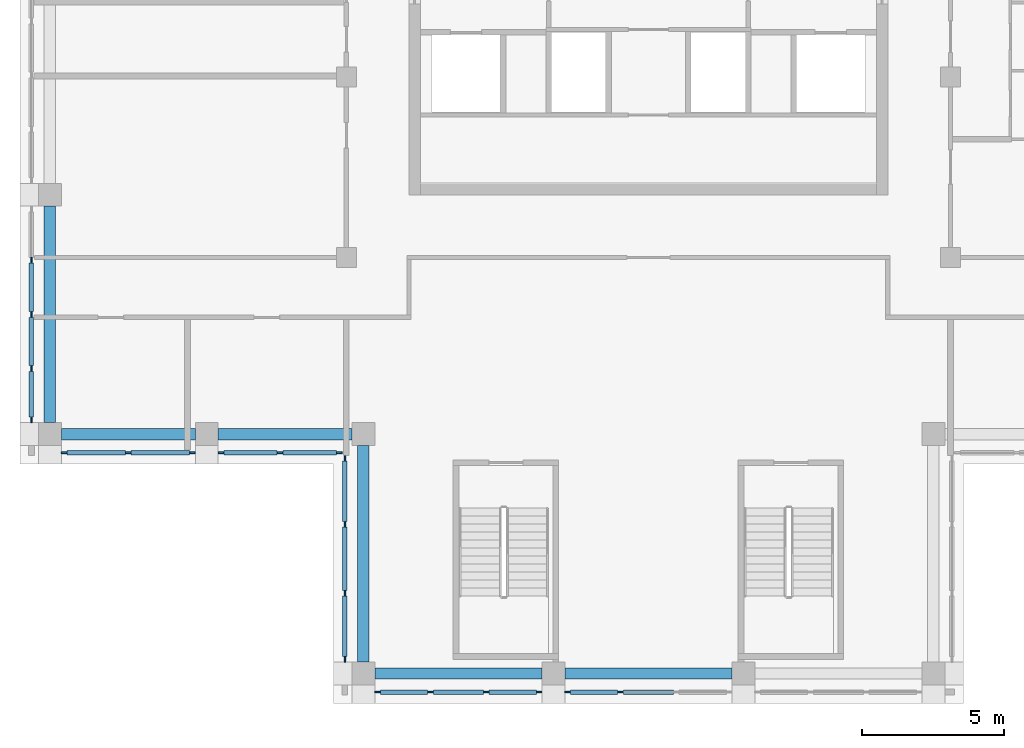
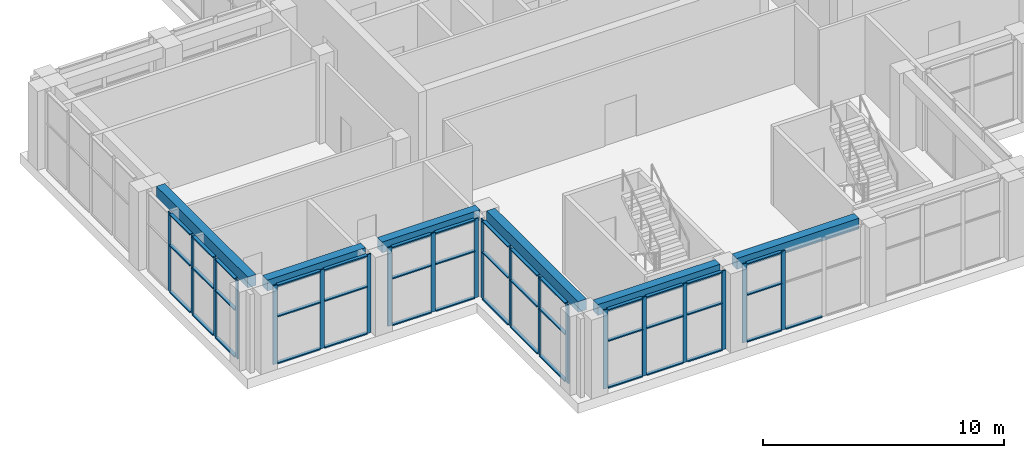
# One storey, part 2 of 14: 63 members, 6 beams, 6 elements without a shape of their own.
"""IFC4 building model written with IfcOpenShell, lengths in metres."""

from ifc_helpers import new_model, si_unit, direction, frame, origin, origin_2d, place, context, subcontext, project, spatial, rectangle, extrude, material, material_profile, profile_set, type_object, element, aggregate, save


model = new_model("IFC4")

# Units and contexts
model_context = context("Model", 3, precision=1e-05, world=origin(), true_north=direction((0.0, 1.0)))
body_context = subcontext(model_context, "Body", "Model", "MODEL_VIEW")
ifc_project = project(units=[si_unit("LENGTHUNIT", "METRE"), si_unit("AREAUNIT", "SQUARE_METRE"), si_unit("VOLUMEUNIT", "CUBIC_METRE"), si_unit("PLANEANGLEUNIT", "RADIAN"), si_unit("MASSUNIT", "GRAM", prefix="KILO")], contexts=[model_context])

# Site, building, storey
site_placement = place(None, origin())
site = spatial("IfcSite", under=ifc_project, at=site_placement, CompositionType="ELEMENT")
building_placement = place(site_placement, origin())
building = spatial("IfcBuilding", under=site, at=building_placement, Name="Vermilion Ogive Tower", CompositionType="ELEMENT")
storey_placement = place(building_placement, frame((0.0, 0.0, 273.85009765625)))
storey = spatial("IfcBuildingStorey", under=building, at=storey_placement, Name="L72", CompositionType="ELEMENT", Elevation=273.85009765625)

# Curtain wall, members
ifc_material_1 = material(Name="Laminated solar-control glazing in aluminium frame", Category="aluminium")
curtain_wall_type = type_object("IfcCurtainWallType", Name="Curtain wall CW4", PredefinedType="NOTDEFINED", material=ifc_material_1)
curtain_wall_1_placement = place(storey_placement, origin())
curtain_wall_1 = element("IfcCurtainWall", 1, at=curtain_wall_1_placement, inside=storey, type_object=curtain_wall_type, Name="CW4 glazing S1", PredefinedType="NOTDEFINED")
ifc_material_2 = material(Name="Aluminium mullion", Category="aluminium")
ifc_material_profile_1 = material_profile(ifc_material_2, rectangle(XDim=0.06005859375, YDim=0.199951171875, at=origin_2d()), Name="AL 60x200")
ifc_profile_set_1 = profile_set([ifc_material_profile_1], Name="Aluminium mullion")
member_type_1 = type_object("IfcMemberType", Name="CW4 mullion 60x200", PredefinedType="MULLION", material=ifc_profile_set_1)
member_1_placement = place(storey_placement, frame((-9.5, -13.25, 0.0), z_axis=(0.0, 0.0, 1.0), x_axis=(0.0, 1.0, 0.0)))
member_1 = element("IfcMember", 2, at=member_1_placement, type_object=member_type_1, Name="CW4-S1 mullion 1", PredefinedType="MULLION", context=body_context, shape_type="SweptSolid", body=[
    extrude(rectangle(XDim=0.06005859375, YDim=0.199951171875, at=origin_2d()), origin(), (0.0, 0.0, 1.0), 4.0),
])
member_2_placement = place(storey_placement, frame((-7.64453125, -13.25, 0.0), z_axis=(0.0, 0.0, 1.0), x_axis=(0.0, 1.0, 0.0)))
member_2 = element("IfcMember", 3, at=member_2_placement, type_object=member_type_1, Name="CW4-S1 mullion 2", PredefinedType="MULLION", context=body_context, shape_type="SweptSolid", body=[
    extrude(rectangle(XDim=0.06005859375, YDim=0.199951171875, at=origin_2d()), origin(), (0.0, 0.0, 1.0), 4.0),
])
member_3_placement = place(storey_placement, frame((-5.68896484375, -13.25, 0.0), z_axis=(0.0, 0.0, 1.0), x_axis=(0.0, 1.0, 0.0)))
member_3 = element("IfcMember", 4, at=member_3_placement, type_object=member_type_1, Name="CW4-S1 mullion 3", PredefinedType="MULLION", context=body_context, shape_type="SweptSolid", body=[
    extrude(rectangle(XDim=0.06005859375, YDim=0.199951171875, at=origin_2d()), origin(), (0.0, 0.0, 1.0), 4.0),
])
member_4_placement = place(storey_placement, frame((-3.833251953125, -13.25, 0.0), z_axis=(0.0, 0.0, 1.0), x_axis=(0.0, 1.0, 0.0)))
member_4 = element("IfcMember", 5, at=member_4_placement, type_object=member_type_1, Name="CW4-S1 mullion 4", PredefinedType="MULLION", context=body_context, shape_type="SweptSolid", body=[
    extrude(rectangle(XDim=0.06005859375, YDim=0.199951171875, at=origin_2d()), origin(), (0.0, 0.0, 1.0), 4.0),
])

curtain_wall_2_placement = place(storey_placement, origin())
curtain_wall_2 = element("IfcCurtainWall", 6, at=curtain_wall_2_placement, inside=storey, type_object=curtain_wall_type, Name="CW4 glazing S2", PredefinedType="NOTDEFINED")
member_5_placement = place(storey_placement, frame((-2.833251953125, -13.25, 0.0), z_axis=(0.0, 0.0, 1.0), x_axis=(0.0, 1.0, 0.0)))
member_5 = element("IfcMember", 7, at=member_5_placement, type_object=member_type_1, Name="CW4-S2 mullion 1", PredefinedType="MULLION", context=body_context, shape_type="SweptSolid", body=[
    extrude(rectangle(XDim=0.06005859375, YDim=0.199951171875, at=origin_2d()), origin(), (0.0, 0.0, 1.0), 4.0),
])
member_6_placement = place(storey_placement, frame((-0.977783203125, -13.25, 0.0), z_axis=(0.0, 0.0, 1.0), x_axis=(0.0, 1.0, 0.0)))
member_6 = element("IfcMember", 8, at=member_6_placement, type_object=member_type_1, Name="CW4-S2 mullion 2", PredefinedType="MULLION", context=body_context, shape_type="SweptSolid", body=[
    extrude(rectangle(XDim=0.06005859375, YDim=0.199951171875, at=origin_2d()), origin(), (0.0, 0.0, 1.0), 4.0),
])

curtain_wall_3_placement = place(storey_placement, origin())
curtain_wall_3 = element("IfcCurtainWall", 9, at=curtain_wall_3_placement, inside=storey, type_object=curtain_wall_type, Name="CW4 glazing W2", PredefinedType="NOTDEFINED")
member_7_placement = place(storey_placement, frame((-21.64990234375, 1.89990234375, 0.0), z_axis=(0.0, 0.0, 1.0), x_axis=(1.0, 0.0, 0.0)))
member_7 = element("IfcMember", 10, at=member_7_placement, type_object=member_type_1, Name="CW4-W2 mullion 2", PredefinedType="MULLION", context=body_context, shape_type="SweptSolid", body=[
    extrude(rectangle(XDim=0.06005859375, YDim=0.199951171875, at=origin_2d()), origin(), (0.0, 0.0, 1.0), 4.0),
])
member_8_placement = place(storey_placement, frame((-21.64990234375, 0.0, 0.0), z_axis=(0.0, 0.0, 1.0), x_axis=(1.0, 0.0, 0.0)))
member_8 = element("IfcMember", 11, at=member_8_placement, type_object=member_type_1, Name="CW4-W2 mullion 3", PredefinedType="MULLION", context=body_context, shape_type="SweptSolid", body=[
    extrude(rectangle(XDim=0.06005859375, YDim=0.199951171875, at=origin_2d()), origin(), (0.0, 0.0, 1.0), 4.0),
])
member_9_placement = place(storey_placement, frame((-21.64990234375, -1.89990234375, 0.0), z_axis=(0.0, 0.0, 1.0), x_axis=(1.0, 0.0, 0.0)))
member_9 = element("IfcMember", 12, at=member_9_placement, type_object=member_type_1, Name="CW4-W2 mullion 4", PredefinedType="MULLION", context=body_context, shape_type="SweptSolid", body=[
    extrude(rectangle(XDim=0.06005859375, YDim=0.199951171875, at=origin_2d()), origin(), (0.0, 0.0, 1.0), 4.0),
])
member_10_placement = place(storey_placement, frame((-21.64990234375, -3.699951171875, 0.0), z_axis=(0.0, 0.0, 1.0), x_axis=(1.0, 0.0, 0.0)))
member_10 = element("IfcMember", 13, at=member_10_placement, type_object=member_type_1, Name="CW4-W2 mullion 5", PredefinedType="MULLION", context=body_context, shape_type="SweptSolid", body=[
    extrude(rectangle(XDim=0.06005859375, YDim=0.199951171875, at=origin_2d()), origin(), (0.0, 0.0, 1.0), 4.0),
])

curtain_wall_4_placement = place(storey_placement, origin())
curtain_wall_4 = element("IfcCurtainWall", 14, at=curtain_wall_4_placement, inside=storey, type_object=curtain_wall_type, Name="CW4 glazing X71", PredefinedType="NOTDEFINED")
member_11_placement = place(storey_placement, frame((-20.5, -4.85009765625, 0.0), z_axis=(0.0, 0.0, 1.0), x_axis=(0.0, 1.0, 0.0)))
member_11 = element("IfcMember", 15, at=member_11_placement, type_object=member_type_1, Name="CW4-X71 mullion 1", PredefinedType="MULLION", context=body_context, shape_type="SweptSolid", body=[
    extrude(rectangle(XDim=0.06005859375, YDim=0.199951171875, at=origin_2d()), origin(), (0.0, 0.0, 1.0), 4.0),
])
member_12_placement = place(storey_placement, frame((-18.25, -4.85009765625, 0.0), z_axis=(0.0, 0.0, 1.0), x_axis=(0.0, 1.0, 0.0)))
member_12 = element("IfcMember", 16, at=member_12_placement, type_object=member_type_1, Name="CW4-X71 mullion 2", PredefinedType="MULLION", context=body_context, shape_type="SweptSolid", body=[
    extrude(rectangle(XDim=0.06005859375, YDim=0.199951171875, at=origin_2d()), origin(), (0.0, 0.0, 1.0), 4.0),
])
member_13_placement = place(storey_placement, frame((-16.0, -4.85009765625, 0.0), z_axis=(0.0, 0.0, 1.0), x_axis=(0.0, 1.0, 0.0)))
member_13 = element("IfcMember", 17, at=member_13_placement, type_object=member_type_1, Name="CW4-X71 mullion 3", PredefinedType="MULLION", context=body_context, shape_type="SweptSolid", body=[
    extrude(rectangle(XDim=0.06005859375, YDim=0.199951171875, at=origin_2d()), origin(), (0.0, 0.0, 1.0), 4.0),
])

curtain_wall_5_placement = place(storey_placement, origin())
curtain_wall_5 = element("IfcCurtainWall", 18, at=curtain_wall_5_placement, inside=storey, type_object=curtain_wall_type, Name="CW4 glazing X72", PredefinedType="NOTDEFINED")
member_14_placement = place(storey_placement, frame((-15.0, -4.85009765625, 0.0), z_axis=(0.0, 0.0, 1.0), x_axis=(0.0, 1.0, 0.0)))
member_14 = element("IfcMember", 19, at=member_14_placement, type_object=member_type_1, Name="CW4-X72 mullion 1", PredefinedType="MULLION", context=body_context, shape_type="SweptSolid", body=[
    extrude(rectangle(XDim=0.06005859375, YDim=0.199951171875, at=origin_2d()), origin(), (0.0, 0.0, 1.0), 4.0),
])
member_15_placement = place(storey_placement, frame((-12.925048828125, -4.85009765625, 0.0), z_axis=(0.0, 0.0, 1.0), x_axis=(0.0, 1.0, 0.0)))
member_15 = element("IfcMember", 20, at=member_15_placement, type_object=member_type_1, Name="CW4-X72 mullion 2", PredefinedType="MULLION", context=body_context, shape_type="SweptSolid", body=[
    extrude(rectangle(XDim=0.06005859375, YDim=0.199951171875, at=origin_2d()), origin(), (0.0, 0.0, 1.0), 4.0),
])
member_16_placement = place(storey_placement, frame((-10.85009765625, -4.85009765625, 0.0), z_axis=(0.0, 0.0, 1.0), x_axis=(0.0, 1.0, 0.0)))
member_16 = element("IfcMember", 21, at=member_16_placement, type_object=member_type_1, Name="CW4-X72 mullion 3", PredefinedType="MULLION", context=body_context, shape_type="SweptSolid", body=[
    extrude(rectangle(XDim=0.06005859375, YDim=0.199951171875, at=origin_2d()), origin(), (0.0, 0.0, 1.0), 4.0),
])

curtain_wall_6_placement = place(storey_placement, origin())
curtain_wall_6 = element("IfcCurtainWall", 22, at=curtain_wall_6_placement, inside=storey, type_object=curtain_wall_type, Name="CW4 glazing X81", PredefinedType="NOTDEFINED")
member_17_placement = place(storey_placement, frame((-10.64990234375, -5.050048828125, 0.0), z_axis=(0.0, 0.0, 1.0), x_axis=(1.0, 0.0, 0.0)))
member_17 = element("IfcMember", 23, at=member_17_placement, type_object=member_type_1, Name="CW4-X81 mullion 1", PredefinedType="MULLION", context=body_context, shape_type="SweptSolid", body=[
    extrude(rectangle(XDim=0.06005859375, YDim=0.199951171875, at=origin_2d()), origin(), (0.0, 0.0, 1.0), 4.0),
])
member_18_placement = place(storey_placement, frame((-10.64990234375, -7.36669921875, 0.0), z_axis=(0.0, 0.0, 1.0), x_axis=(1.0, 0.0, 0.0)))
member_18 = element("IfcMember", 24, at=member_18_placement, type_object=member_type_1, Name="CW4-X81 mullion 2", PredefinedType="MULLION", context=body_context, shape_type="SweptSolid", body=[
    extrude(rectangle(XDim=0.06005859375, YDim=0.199951171875, at=origin_2d()), origin(), (0.0, 0.0, 1.0), 4.0),
])
member_19_placement = place(storey_placement, frame((-10.64990234375, -9.783447265625, 0.0), z_axis=(0.0, 0.0, 1.0), x_axis=(1.0, 0.0, 0.0)))
member_19 = element("IfcMember", 25, at=member_19_placement, type_object=member_type_1, Name="CW4-X81 mullion 3", PredefinedType="MULLION", context=body_context, shape_type="SweptSolid", body=[
    extrude(rectangle(XDim=0.06005859375, YDim=0.199951171875, at=origin_2d()), origin(), (0.0, 0.0, 1.0), 4.0),
])
member_20_placement = place(storey_placement, frame((-10.64990234375, -12.10009765625, 0.0), z_axis=(0.0, 0.0, 1.0), x_axis=(1.0, 0.0, 0.0)))
member_20 = element("IfcMember", 26, at=member_20_placement, type_object=member_type_1, Name="CW4-X81 mullion 4", PredefinedType="MULLION", context=body_context, shape_type="SweptSolid", body=[
    extrude(rectangle(XDim=0.06005859375, YDim=0.199951171875, at=origin_2d()), origin(), (0.0, 0.0, 1.0), 4.0),
])

# Member
ifc_material_3 = material(Name="Aluminium transom", Category="aluminium")
ifc_material_profile_2 = material_profile(ifc_material_3, rectangle(XDim=0.159912109375, YDim=0.06005859375, at=origin_2d()), Name="AL 60x160")
ifc_profile_set_2 = profile_set([ifc_material_profile_2], Name="Aluminium transom")
member_type_2 = type_object("IfcMemberType", Name="CW4 transom 60x160", PredefinedType="USERDEFINED", material=ifc_profile_set_2)
member_21_placement = place(storey_placement, frame((-9.39990234375, -13.25, 0.02978515625), z_axis=(1.0, 0.0, 0.0), x_axis=(0.0, 1.0, 0.0)))
member_21 = element("IfcMember", 27, at=member_21_placement, type_object=member_type_2, Name="CW4-S1 transom 1.1", ObjectType="TRANSOM", PredefinedType="USERDEFINED", context=body_context, shape_type="SweptSolid", body=[
    extrude(rectangle(XDim=0.159912109375, YDim=0.06005859375, at=origin_2d()), origin(), (0.0, 0.0, 1.0), 1.655517578125),
])

member_22_placement = place(storey_placement, frame((-9.39990234375, -13.25, 2.39990234375), z_axis=(1.0, 0.0, 0.0), x_axis=(0.0, 1.0, 0.0)))
member_22 = element("IfcMember", 28, at=member_22_placement, type_object=member_type_2, Name="CW4-S1 transom 1.2", ObjectType="TRANSOM", PredefinedType="USERDEFINED", context=body_context, shape_type="SweptSolid", body=[
    extrude(rectangle(XDim=0.159912109375, YDim=0.06005859375, at=origin_2d()), origin(), (0.0, 0.0, 1.0), 1.655517578125),
])

member_23_placement = place(storey_placement, frame((-9.39990234375, -13.25, 3.969970703125), z_axis=(1.0, 0.0, 0.0), x_axis=(0.0, 1.0, 0.0)))
member_23 = element("IfcMember", 29, at=member_23_placement, type_object=member_type_2, Name="CW4-S1 transom 1.3", ObjectType="TRANSOM", PredefinedType="USERDEFINED", context=body_context, shape_type="SweptSolid", body=[
    extrude(rectangle(XDim=0.159912109375, YDim=0.06005859375, at=origin_2d()), origin(), (0.0, 0.0, 1.0), 1.655517578125),
])

member_24_placement = place(storey_placement, frame((-7.54443359375, -13.25, 0.02978515625), z_axis=(1.0, 0.0, 0.0), x_axis=(0.0, 1.0, 0.0)))
member_24 = element("IfcMember", 30, at=member_24_placement, type_object=member_type_2, Name="CW4-S1 transom 2.1", ObjectType="TRANSOM", PredefinedType="USERDEFINED", context=body_context, shape_type="SweptSolid", body=[
    extrude(rectangle(XDim=0.159912109375, YDim=0.06005859375, at=origin_2d()), origin(), (0.0, 0.0, 1.0), 1.755615234375),
])

member_25_placement = place(storey_placement, frame((-7.54443359375, -13.25, 2.39990234375), z_axis=(1.0, 0.0, 0.0), x_axis=(0.0, 1.0, 0.0)))
member_25 = element("IfcMember", 31, at=member_25_placement, type_object=member_type_2, Name="CW4-S1 transom 2.2", ObjectType="TRANSOM", PredefinedType="USERDEFINED", context=body_context, shape_type="SweptSolid", body=[
    extrude(rectangle(XDim=0.159912109375, YDim=0.06005859375, at=origin_2d()), origin(), (0.0, 0.0, 1.0), 1.755615234375),
])

member_26_placement = place(storey_placement, frame((-7.54443359375, -13.25, 3.969970703125), z_axis=(1.0, 0.0, 0.0), x_axis=(0.0, 1.0, 0.0)))
member_26 = element("IfcMember", 32, at=member_26_placement, type_object=member_type_2, Name="CW4-S1 transom 2.3", ObjectType="TRANSOM", PredefinedType="USERDEFINED", context=body_context, shape_type="SweptSolid", body=[
    extrude(rectangle(XDim=0.159912109375, YDim=0.06005859375, at=origin_2d()), origin(), (0.0, 0.0, 1.0), 1.755615234375),
])

member_27_placement = place(storey_placement, frame((-5.5888671875, -13.25, 0.02978515625), z_axis=(1.0, 0.0, 0.0), x_axis=(0.0, 1.0, 0.0)))
member_27 = element("IfcMember", 33, at=member_27_placement, type_object=member_type_2, Name="CW4-S1 transom 3.1", ObjectType="TRANSOM", PredefinedType="USERDEFINED", context=body_context, shape_type="SweptSolid", body=[
    extrude(rectangle(XDim=0.159912109375, YDim=0.06005859375, at=origin_2d()), origin(), (0.0, 0.0, 1.0), 1.655517578125),
])

member_28_placement = place(storey_placement, frame((-5.5888671875, -13.25, 2.39990234375), z_axis=(1.0, 0.0, 0.0), x_axis=(0.0, 1.0, 0.0)))
member_28 = element("IfcMember", 34, at=member_28_placement, type_object=member_type_2, Name="CW4-S1 transom 3.2", ObjectType="TRANSOM", PredefinedType="USERDEFINED", context=body_context, shape_type="SweptSolid", body=[
    extrude(rectangle(XDim=0.159912109375, YDim=0.06005859375, at=origin_2d()), origin(), (0.0, 0.0, 1.0), 1.655517578125),
])

member_29_placement = place(storey_placement, frame((-5.5888671875, -13.25, 3.969970703125), z_axis=(1.0, 0.0, 0.0), x_axis=(0.0, 1.0, 0.0)))
member_29 = element("IfcMember", 35, at=member_29_placement, type_object=member_type_2, Name="CW4-S1 transom 3.3", ObjectType="TRANSOM", PredefinedType="USERDEFINED", context=body_context, shape_type="SweptSolid", body=[
    extrude(rectangle(XDim=0.159912109375, YDim=0.06005859375, at=origin_2d()), origin(), (0.0, 0.0, 1.0), 1.655517578125),
])

aggregate(curtain_wall_1, [member_1, member_2, member_3, member_4, member_21, member_22, member_23, member_24, member_25, member_26, member_27, member_28, member_29])

member_30_placement = place(storey_placement, frame((-2.7333984375, -13.25, 0.02978515625), z_axis=(1.0, 0.0, 0.0), x_axis=(0.0, 1.0, 0.0)))
member_30 = element("IfcMember", 36, at=member_30_placement, type_object=member_type_2, Name="CW4-S2 transom 1.1", ObjectType="TRANSOM", PredefinedType="USERDEFINED", context=body_context, shape_type="SweptSolid", body=[
    extrude(rectangle(XDim=0.159912109375, YDim=0.06005859375, at=origin_2d()), origin(), (0.0, 0.0, 1.0), 1.655517578125),
])

member_31_placement = place(storey_placement, frame((-2.7333984375, -13.25, 2.39990234375), z_axis=(1.0, 0.0, 0.0), x_axis=(0.0, 1.0, 0.0)))
member_31 = element("IfcMember", 37, at=member_31_placement, type_object=member_type_2, Name="CW4-S2 transom 1.2", ObjectType="TRANSOM", PredefinedType="USERDEFINED", context=body_context, shape_type="SweptSolid", body=[
    extrude(rectangle(XDim=0.159912109375, YDim=0.06005859375, at=origin_2d()), origin(), (0.0, 0.0, 1.0), 1.655517578125),
])

member_32_placement = place(storey_placement, frame((-2.7333984375, -13.25, 3.969970703125), z_axis=(1.0, 0.0, 0.0), x_axis=(0.0, 1.0, 0.0)))
member_32 = element("IfcMember", 38, at=member_32_placement, type_object=member_type_2, Name="CW4-S2 transom 1.3", ObjectType="TRANSOM", PredefinedType="USERDEFINED", context=body_context, shape_type="SweptSolid", body=[
    extrude(rectangle(XDim=0.159912109375, YDim=0.06005859375, at=origin_2d()), origin(), (0.0, 0.0, 1.0), 1.655517578125),
])

member_33_placement = place(storey_placement, frame((-0.877685546875, -13.25, 0.02978515625), z_axis=(1.0, 0.0, 0.0), x_axis=(0.0, 1.0, 0.0)))
member_33 = element("IfcMember", 39, at=member_33_placement, type_object=member_type_2, Name="CW4-S2 transom 2.1", ObjectType="TRANSOM", PredefinedType="USERDEFINED", context=body_context, shape_type="SweptSolid", body=[
    extrude(rectangle(XDim=0.159912109375, YDim=0.06005859375, at=origin_2d()), origin(), (0.0, 0.0, 1.0), 1.75537109375),
])

aggregate(curtain_wall_2, [member_5, member_6, member_30, member_31, member_32, member_33])

member_34_placement = place(storey_placement, frame((-21.64990234375, 1.800048828125, 0.02978515625), z_axis=(0.0, -1.0, 0.0), x_axis=(1.0, 0.0, 0.0)))
member_34 = element("IfcMember", 40, at=member_34_placement, type_object=member_type_2, Name="CW4-W2 transom 2.1", ObjectType="TRANSOM", PredefinedType="USERDEFINED", context=body_context, shape_type="SweptSolid", body=[
    extrude(rectangle(XDim=0.159912109375, YDim=0.06005859375, at=origin_2d()), origin(), (0.0, 0.0, 1.0), 1.699951171875),
])

member_35_placement = place(storey_placement, frame((-21.64990234375, 1.800048828125, 2.39990234375), z_axis=(0.0, -1.0, 0.0), x_axis=(1.0, 0.0, 0.0)))
member_35 = element("IfcMember", 41, at=member_35_placement, type_object=member_type_2, Name="CW4-W2 transom 2.2", ObjectType="TRANSOM", PredefinedType="USERDEFINED", context=body_context, shape_type="SweptSolid", body=[
    extrude(rectangle(XDim=0.159912109375, YDim=0.06005859375, at=origin_2d()), origin(), (0.0, 0.0, 1.0), 1.699951171875),
])

member_36_placement = place(storey_placement, frame((-21.64990234375, 1.800048828125, 3.969970703125), z_axis=(0.0, -1.0, 0.0), x_axis=(1.0, 0.0, 0.0)))
member_36 = element("IfcMember", 42, at=member_36_placement, type_object=member_type_2, Name="CW4-W2 transom 2.3", ObjectType="TRANSOM", PredefinedType="USERDEFINED", context=body_context, shape_type="SweptSolid", body=[
    extrude(rectangle(XDim=0.159912109375, YDim=0.06005859375, at=origin_2d()), origin(), (0.0, 0.0, 1.0), 1.699951171875),
])

member_37_placement = place(storey_placement, frame((-21.64990234375, -0.10009765625, 0.02978515625), z_axis=(0.0, -1.0, 0.0), x_axis=(1.0, 0.0, 0.0)))
member_37 = element("IfcMember", 43, at=member_37_placement, type_object=member_type_2, Name="CW4-W2 transom 3.1", ObjectType="TRANSOM", PredefinedType="USERDEFINED", context=body_context, shape_type="SweptSolid", body=[
    extrude(rectangle(XDim=0.159912109375, YDim=0.06005859375, at=origin_2d()), origin(), (0.0, 0.0, 1.0), 1.699951171875),
])

member_38_placement = place(storey_placement, frame((-21.64990234375, -0.10009765625, 2.39990234375), z_axis=(0.0, -1.0, 0.0), x_axis=(1.0, 0.0, 0.0)))
member_38 = element("IfcMember", 44, at=member_38_placement, type_object=member_type_2, Name="CW4-W2 transom 3.2", ObjectType="TRANSOM", PredefinedType="USERDEFINED", context=body_context, shape_type="SweptSolid", body=[
    extrude(rectangle(XDim=0.159912109375, YDim=0.06005859375, at=origin_2d()), origin(), (0.0, 0.0, 1.0), 1.699951171875),
])

member_39_placement = place(storey_placement, frame((-21.64990234375, -0.10009765625, 3.969970703125), z_axis=(0.0, -1.0, 0.0), x_axis=(1.0, 0.0, 0.0)))
member_39 = element("IfcMember", 45, at=member_39_placement, type_object=member_type_2, Name="CW4-W2 transom 3.3", ObjectType="TRANSOM", PredefinedType="USERDEFINED", context=body_context, shape_type="SweptSolid", body=[
    extrude(rectangle(XDim=0.159912109375, YDim=0.06005859375, at=origin_2d()), origin(), (0.0, 0.0, 1.0), 1.699951171875),
])

member_40_placement = place(storey_placement, frame((-21.64990234375, -2.0, 0.02978515625), z_axis=(0.0, -1.0, 0.0), x_axis=(1.0, 0.0, 0.0)))
member_40 = element("IfcMember", 46, at=member_40_placement, type_object=member_type_2, Name="CW4-W2 transom 4.1", ObjectType="TRANSOM", PredefinedType="USERDEFINED", context=body_context, shape_type="SweptSolid", body=[
    extrude(rectangle(XDim=0.159912109375, YDim=0.06005859375, at=origin_2d()), origin(), (0.0, 0.0, 1.0), 1.60009765625),
])

member_41_placement = place(storey_placement, frame((-21.64990234375, -2.0, 2.39990234375), z_axis=(0.0, -1.0, 0.0), x_axis=(1.0, 0.0, 0.0)))
member_41 = element("IfcMember", 47, at=member_41_placement, type_object=member_type_2, Name="CW4-W2 transom 4.2", ObjectType="TRANSOM", PredefinedType="USERDEFINED", context=body_context, shape_type="SweptSolid", body=[
    extrude(rectangle(XDim=0.159912109375, YDim=0.06005859375, at=origin_2d()), origin(), (0.0, 0.0, 1.0), 1.60009765625),
])

member_42_placement = place(storey_placement, frame((-21.64990234375, -2.0, 3.969970703125), z_axis=(0.0, -1.0, 0.0), x_axis=(1.0, 0.0, 0.0)))
member_42 = element("IfcMember", 48, at=member_42_placement, type_object=member_type_2, Name="CW4-W2 transom 4.3", ObjectType="TRANSOM", PredefinedType="USERDEFINED", context=body_context, shape_type="SweptSolid", body=[
    extrude(rectangle(XDim=0.159912109375, YDim=0.06005859375, at=origin_2d()), origin(), (0.0, 0.0, 1.0), 1.60009765625),
])

aggregate(curtain_wall_3, [member_7, member_8, member_9, member_10, member_34, member_35, member_36, member_37, member_38, member_39, member_40, member_41, member_42])

member_43_placement = place(storey_placement, frame((-20.39990234375, -4.85009765625, 0.02978515625), z_axis=(1.0, 0.0, 0.0), x_axis=(0.0, 1.0, 0.0)))
member_43 = element("IfcMember", 49, at=member_43_placement, type_object=member_type_2, Name="CW4-X71 transom 1.1", ObjectType="TRANSOM", PredefinedType="USERDEFINED", context=body_context, shape_type="SweptSolid", body=[
    extrude(rectangle(XDim=0.159912109375, YDim=0.06005859375, at=origin_2d()), origin(), (0.0, 0.0, 1.0), 2.0498046875),
])

member_44_placement = place(storey_placement, frame((-20.39990234375, -4.85009765625, 2.39990234375), z_axis=(1.0, 0.0, 0.0), x_axis=(0.0, 1.0, 0.0)))
member_44 = element("IfcMember", 50, at=member_44_placement, type_object=member_type_2, Name="CW4-X71 transom 1.2", ObjectType="TRANSOM", PredefinedType="USERDEFINED", context=body_context, shape_type="SweptSolid", body=[
    extrude(rectangle(XDim=0.159912109375, YDim=0.06005859375, at=origin_2d()), origin(), (0.0, 0.0, 1.0), 2.0498046875),
])

member_45_placement = place(storey_placement, frame((-20.39990234375, -4.85009765625, 3.969970703125), z_axis=(1.0, 0.0, 0.0), x_axis=(0.0, 1.0, 0.0)))
member_45 = element("IfcMember", 51, at=member_45_placement, type_object=member_type_2, Name="CW4-X71 transom 1.3", ObjectType="TRANSOM", PredefinedType="USERDEFINED", context=body_context, shape_type="SweptSolid", body=[
    extrude(rectangle(XDim=0.159912109375, YDim=0.06005859375, at=origin_2d()), origin(), (0.0, 0.0, 1.0), 2.0498046875),
])

member_46_placement = place(storey_placement, frame((-18.14990234375, -4.85009765625, 0.02978515625), z_axis=(1.0, 0.0, 0.0), x_axis=(0.0, 1.0, 0.0)))
member_46 = element("IfcMember", 52, at=member_46_placement, type_object=member_type_2, Name="CW4-X71 transom 2.1", ObjectType="TRANSOM", PredefinedType="USERDEFINED", context=body_context, shape_type="SweptSolid", body=[
    extrude(rectangle(XDim=0.159912109375, YDim=0.06005859375, at=origin_2d()), origin(), (0.0, 0.0, 1.0), 2.0498046875),
])

member_47_placement = place(storey_placement, frame((-18.14990234375, -4.85009765625, 2.39990234375), z_axis=(1.0, 0.0, 0.0), x_axis=(0.0, 1.0, 0.0)))
member_47 = element("IfcMember", 53, at=member_47_placement, type_object=member_type_2, Name="CW4-X71 transom 2.2", ObjectType="TRANSOM", PredefinedType="USERDEFINED", context=body_context, shape_type="SweptSolid", body=[
    extrude(rectangle(XDim=0.159912109375, YDim=0.06005859375, at=origin_2d()), origin(), (0.0, 0.0, 1.0), 2.0498046875),
])

member_48_placement = place(storey_placement, frame((-18.14990234375, -4.85009765625, 3.969970703125), z_axis=(1.0, 0.0, 0.0), x_axis=(0.0, 1.0, 0.0)))
member_48 = element("IfcMember", 54, at=member_48_placement, type_object=member_type_2, Name="CW4-X71 transom 2.3", ObjectType="TRANSOM", PredefinedType="USERDEFINED", context=body_context, shape_type="SweptSolid", body=[
    extrude(rectangle(XDim=0.159912109375, YDim=0.06005859375, at=origin_2d()), origin(), (0.0, 0.0, 1.0), 2.0498046875),
])

aggregate(curtain_wall_4, [member_11, member_12, member_13, member_43, member_44, member_45, member_46, member_47, member_48])

member_49_placement = place(storey_placement, frame((-14.89990234375, -4.85009765625, 0.02978515625), z_axis=(1.0, 0.0, 0.0), x_axis=(0.0, 1.0, 0.0)))
member_49 = element("IfcMember", 55, at=member_49_placement, type_object=member_type_2, Name="CW4-X72 transom 1.1", ObjectType="TRANSOM", PredefinedType="USERDEFINED", context=body_context, shape_type="SweptSolid", body=[
    extrude(rectangle(XDim=0.159912109375, YDim=0.06005859375, at=origin_2d()), origin(), (0.0, 0.0, 1.0), 1.875),
])

member_50_placement = place(storey_placement, frame((-14.89990234375, -4.85009765625, 2.39990234375), z_axis=(1.0, 0.0, 0.0), x_axis=(0.0, 1.0, 0.0)))
member_50 = element("IfcMember", 56, at=member_50_placement, type_object=member_type_2, Name="CW4-X72 transom 1.2", ObjectType="TRANSOM", PredefinedType="USERDEFINED", context=body_context, shape_type="SweptSolid", body=[
    extrude(rectangle(XDim=0.159912109375, YDim=0.06005859375, at=origin_2d()), origin(), (0.0, 0.0, 1.0), 1.875),
])

member_51_placement = place(storey_placement, frame((-14.89990234375, -4.85009765625, 3.969970703125), z_axis=(1.0, 0.0, 0.0), x_axis=(0.0, 1.0, 0.0)))
member_51 = element("IfcMember", 57, at=member_51_placement, type_object=member_type_2, Name="CW4-X72 transom 1.3", ObjectType="TRANSOM", PredefinedType="USERDEFINED", context=body_context, shape_type="SweptSolid", body=[
    extrude(rectangle(XDim=0.159912109375, YDim=0.06005859375, at=origin_2d()), origin(), (0.0, 0.0, 1.0), 1.875),
])

member_52_placement = place(storey_placement, frame((-12.824951171875, -4.85009765625, 0.02978515625), z_axis=(1.0, 0.0, 0.0), x_axis=(0.0, 1.0, 0.0)))
member_52 = element("IfcMember", 58, at=member_52_placement, type_object=member_type_2, Name="CW4-X72 transom 2.1", ObjectType="TRANSOM", PredefinedType="USERDEFINED", context=body_context, shape_type="SweptSolid", body=[
    extrude(rectangle(XDim=0.159912109375, YDim=0.06005859375, at=origin_2d()), origin(), (0.0, 0.0, 1.0), 1.875),
])

member_53_placement = place(storey_placement, frame((-12.824951171875, -4.85009765625, 2.39990234375), z_axis=(1.0, 0.0, 0.0), x_axis=(0.0, 1.0, 0.0)))
member_53 = element("IfcMember", 59, at=member_53_placement, type_object=member_type_2, Name="CW4-X72 transom 2.2", ObjectType="TRANSOM", PredefinedType="USERDEFINED", context=body_context, shape_type="SweptSolid", body=[
    extrude(rectangle(XDim=0.159912109375, YDim=0.06005859375, at=origin_2d()), origin(), (0.0, 0.0, 1.0), 1.875),
])

member_54_placement = place(storey_placement, frame((-12.824951171875, -4.85009765625, 3.969970703125), z_axis=(1.0, 0.0, 0.0), x_axis=(0.0, 1.0, 0.0)))
member_54 = element("IfcMember", 60, at=member_54_placement, type_object=member_type_2, Name="CW4-X72 transom 2.3", ObjectType="TRANSOM", PredefinedType="USERDEFINED", context=body_context, shape_type="SweptSolid", body=[
    extrude(rectangle(XDim=0.159912109375, YDim=0.06005859375, at=origin_2d()), origin(), (0.0, 0.0, 1.0), 1.875),
])

aggregate(curtain_wall_5, [member_14, member_15, member_16, member_49, member_50, member_51, member_52, member_53, member_54])

member_55_placement = place(storey_placement, frame((-10.64990234375, -5.14990234375, 0.02978515625), z_axis=(0.0, -1.0, 0.0), x_axis=(1.0, 0.0, 0.0)))
member_55 = element("IfcMember", 61, at=member_55_placement, type_object=member_type_2, Name="CW4-X81 transom 1.1", ObjectType="TRANSOM", PredefinedType="USERDEFINED", context=body_context, shape_type="SweptSolid", body=[
    extrude(rectangle(XDim=0.159912109375, YDim=0.06005859375, at=origin_2d()), origin(), (0.0, 0.0, 1.0), 2.11669921875),
])

member_56_placement = place(storey_placement, frame((-10.64990234375, -5.14990234375, 2.39990234375), z_axis=(0.0, -1.0, 0.0), x_axis=(1.0, 0.0, 0.0)))
member_56 = element("IfcMember", 62, at=member_56_placement, type_object=member_type_2, Name="CW4-X81 transom 1.2", ObjectType="TRANSOM", PredefinedType="USERDEFINED", context=body_context, shape_type="SweptSolid", body=[
    extrude(rectangle(XDim=0.159912109375, YDim=0.06005859375, at=origin_2d()), origin(), (0.0, 0.0, 1.0), 2.11669921875),
])

member_57_placement = place(storey_placement, frame((-10.64990234375, -5.14990234375, 3.969970703125), z_axis=(0.0, -1.0, 0.0), x_axis=(1.0, 0.0, 0.0)))
member_57 = element("IfcMember", 63, at=member_57_placement, type_object=member_type_2, Name="CW4-X81 transom 1.3", ObjectType="TRANSOM", PredefinedType="USERDEFINED", context=body_context, shape_type="SweptSolid", body=[
    extrude(rectangle(XDim=0.159912109375, YDim=0.06005859375, at=origin_2d()), origin(), (0.0, 0.0, 1.0), 2.11669921875),
])

member_58_placement = place(storey_placement, frame((-10.64990234375, -7.466552734375, 0.02978515625), z_axis=(0.0, -1.0, 0.0), x_axis=(1.0, 0.0, 0.0)))
member_58 = element("IfcMember", 64, at=member_58_placement, type_object=member_type_2, Name="CW4-X81 transom 2.1", ObjectType="TRANSOM", PredefinedType="USERDEFINED", context=body_context, shape_type="SweptSolid", body=[
    extrude(rectangle(XDim=0.159912109375, YDim=0.06005859375, at=origin_2d()), origin(), (0.0, 0.0, 1.0), 2.216796875),
])

member_59_placement = place(storey_placement, frame((-10.64990234375, -7.466552734375, 2.39990234375), z_axis=(0.0, -1.0, 0.0), x_axis=(1.0, 0.0, 0.0)))
member_59 = element("IfcMember", 65, at=member_59_placement, type_object=member_type_2, Name="CW4-X81 transom 2.2", ObjectType="TRANSOM", PredefinedType="USERDEFINED", context=body_context, shape_type="SweptSolid", body=[
    extrude(rectangle(XDim=0.159912109375, YDim=0.06005859375, at=origin_2d()), origin(), (0.0, 0.0, 1.0), 2.216796875),
])

member_60_placement = place(storey_placement, frame((-10.64990234375, -7.466552734375, 3.969970703125), z_axis=(0.0, -1.0, 0.0), x_axis=(1.0, 0.0, 0.0)))
member_60 = element("IfcMember", 66, at=member_60_placement, type_object=member_type_2, Name="CW4-X81 transom 2.3", ObjectType="TRANSOM", PredefinedType="USERDEFINED", context=body_context, shape_type="SweptSolid", body=[
    extrude(rectangle(XDim=0.159912109375, YDim=0.06005859375, at=origin_2d()), origin(), (0.0, 0.0, 1.0), 2.216796875),
])

member_61_placement = place(storey_placement, frame((-10.64990234375, -9.88330078125, 0.02978515625), z_axis=(0.0, -1.0, 0.0), x_axis=(1.0, 0.0, 0.0)))
member_61 = element("IfcMember", 67, at=member_61_placement, type_object=member_type_2, Name="CW4-X81 transom 3.1", ObjectType="TRANSOM", PredefinedType="USERDEFINED", context=body_context, shape_type="SweptSolid", body=[
    extrude(rectangle(XDim=0.159912109375, YDim=0.06005859375, at=origin_2d()), origin(), (0.0, 0.0, 1.0), 2.11669921875),
])

member_62_placement = place(storey_placement, frame((-10.64990234375, -9.88330078125, 2.39990234375), z_axis=(0.0, -1.0, 0.0), x_axis=(1.0, 0.0, 0.0)))
member_62 = element("IfcMember", 68, at=member_62_placement, type_object=member_type_2, Name="CW4-X81 transom 3.2", ObjectType="TRANSOM", PredefinedType="USERDEFINED", context=body_context, shape_type="SweptSolid", body=[
    extrude(rectangle(XDim=0.159912109375, YDim=0.06005859375, at=origin_2d()), origin(), (0.0, 0.0, 1.0), 2.11669921875),
])

member_63_placement = place(storey_placement, frame((-10.64990234375, -9.88330078125, 3.969970703125), z_axis=(0.0, -1.0, 0.0), x_axis=(1.0, 0.0, 0.0)))
member_63 = element("IfcMember", 69, at=member_63_placement, type_object=member_type_2, Name="CW4-X81 transom 3.3", ObjectType="TRANSOM", PredefinedType="USERDEFINED", context=body_context, shape_type="SweptSolid", body=[
    extrude(rectangle(XDim=0.159912109375, YDim=0.06005859375, at=origin_2d()), origin(), (0.0, 0.0, 1.0), 2.11669921875),
])

aggregate(curtain_wall_6, [member_17, member_18, member_19, member_20, member_55, member_56, member_57, member_58, member_59, member_60, member_61, member_62, member_63])

# Beams
ifc_material_4 = material(Name="Concrete B45", Category="concrete")
ifc_material_profile_3 = material_profile(ifc_material_4, rectangle(XDim=0.39990234375, YDim=0.550048828125, at=origin_2d()), Name="400 x 550")
ifc_profile_set_3 = profile_set([ifc_material_profile_3], Name="Concrete B45")
beam_type = type_object("IfcBeamType", Name="Edge beam 400 x 550 B45", PredefinedType="BEAM", material=ifc_profile_set_3)
for number, where, z_axis, x_axis, name in (
    (70, (-9.60009765625, -12.60009765625, 3.724853515625), (1.0, 0.0, 0.0), (0.0, 1.0, 0.0), "L72-EB-1"),
    (71, (-2.933349609375, -12.60009765625, 3.724853515625), (1.0, 0.0, 0.0), (0.0, 1.0, 0.0), "L72-EB-2"),
):
    element("IfcBeam", number, at=place(storey_placement, frame(where, z_axis=z_axis, x_axis=x_axis)), inside=storey, type_object=beam_type, Name=name, PredefinedType="BEAM", context=body_context, shape_type="SweptSolid", body=[
        extrude(rectangle(XDim=0.39990234375, YDim=0.550048828125, at=origin_2d()), origin(), (0.0, 0.0, 1.0), 5.86669921875),
    ])
beam_1_placement = place(storey_placement, frame((-21.0, 3.800048828125, 3.724853515625), z_axis=(0.0, -1.0, 0.0), x_axis=(1.0, 0.0, 0.0)))
element("IfcBeam", 72, at=beam_1_placement, inside=storey, type_object=beam_type, Name="L72-EB-14", PredefinedType="BEAM", context=body_context, shape_type="SweptSolid", body=[
    extrude(rectangle(XDim=0.39990234375, YDim=0.550048828125, at=origin_2d()), origin(), (0.0, 0.0, 1.0), 7.60009765625),
])
for number, where, z_axis, x_axis, name in (
    (73, (-20.60009765625, -4.199951171875, 3.724853515625), (1.0, 0.0, 0.0), (0.0, 1.0, 0.0), "L72-EB-15"),
    (74, (-15.10009765625, -4.199951171875, 3.724853515625), (1.0, 0.0, 0.0), (0.0, 1.0, 0.0), "L72-EB-16"),
):
    element("IfcBeam", number, at=place(storey_placement, frame(where, z_axis=z_axis, x_axis=x_axis)), inside=storey, type_object=beam_type, Name=name, PredefinedType="BEAM", context=body_context, shape_type="SweptSolid", body=[
        extrude(rectangle(XDim=0.39990234375, YDim=0.550048828125, at=origin_2d()), origin(), (0.0, 0.0, 1.0), 4.7001953125),
    ])
beam_2_placement = place(storey_placement, frame((-10.0, -4.60009765625, 3.724853515625), z_axis=(0.0, -1.0, 0.0), x_axis=(1.0, 0.0, 0.0)))
element("IfcBeam", 75, at=beam_2_placement, inside=storey, type_object=beam_type, Name="L72-EB-17", PredefinedType="BEAM", context=body_context, shape_type="SweptSolid", body=[
    extrude(rectangle(XDim=0.39990234375, YDim=0.550048828125, at=origin_2d()), origin(), (0.0, 0.0, 1.0), 7.599853515625),
])

save(model, "model.ifc")
